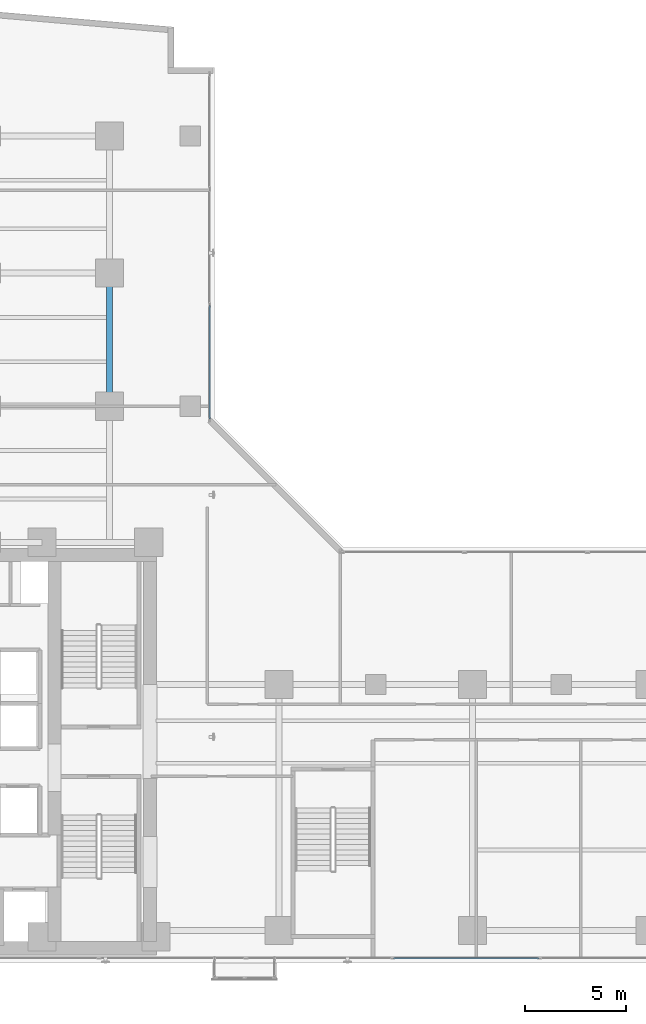
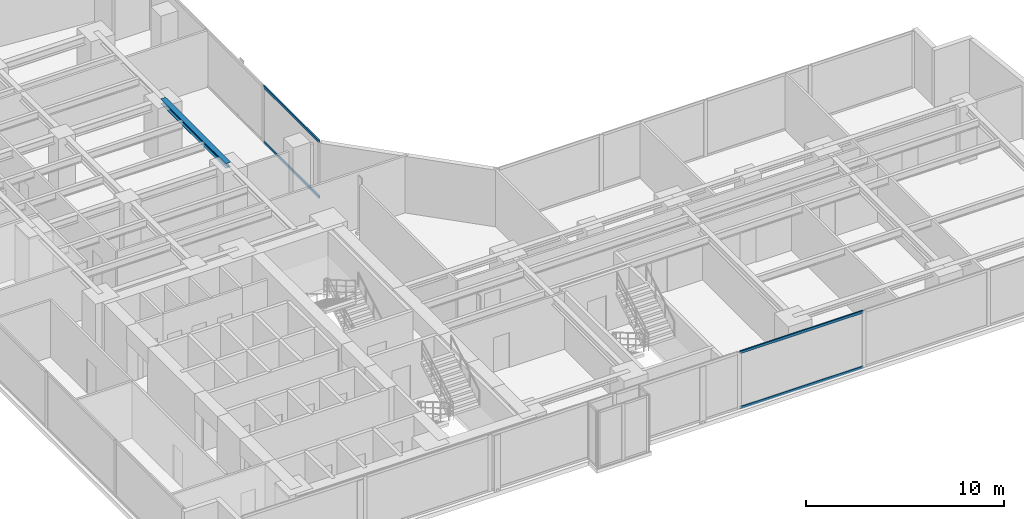
# One storey, part 10 of 25: 4 members, 1 beam, 2 elements without a shape of their own.
"""IFC4 building model written with IfcOpenShell, lengths in metres."""

from ifc_helpers import new_model, si_unit, direction, frame, origin, origin_with_axes, origin_2d, place, context, subcontext, project, spatial, hollow_rectangle, i_section, extrude, source, transform, mapped, material, layer, layer_set, material_profile, profile_set, type_object, element, aggregate, save


model = new_model("IFC4")

# Units and contexts
model_context = context("Model", 3, precision=1e-05, world=origin(), true_north=direction((0.0, 1.0)))
body_context = subcontext(model_context, "Body", "Model", "MODEL_VIEW")
ifc_project = project(units=[si_unit("LENGTHUNIT", "METRE"), si_unit("AREAUNIT", "SQUARE_METRE"), si_unit("VOLUMEUNIT", "CUBIC_METRE"), si_unit("PLANEANGLEUNIT", "RADIAN"), si_unit("MASSUNIT", "GRAM", prefix="KILO")], contexts=[model_context])

# Site, building, storey
site_placement = place(None, origin())
site = spatial("IfcSite", under=ifc_project, at=site_placement, CompositionType="ELEMENT")
building_placement = place(site_placement, origin())
building = spatial("IfcBuilding", under=site, at=building_placement, Name="Kolvaren Waterfront Exchange", CompositionType="ELEMENT")
storey_placement = place(building_placement, frame((0.0, 0.0, 106.89990234375)))
storey = spatial("IfcBuildingStorey", under=building, at=storey_placement, Name="L27", CompositionType="ELEMENT", Elevation=106.89990234375)

# Beam
ifc_material_1 = material(Name="Steel S355", Category="steel")
ifc_material_profile_1 = material_profile(ifc_material_1, i_section(OverallWidth=0.300048828125, OverallDepth=0.300048828125, WebThickness=0.010986328125, FlangeThickness=0.01904296875, FilletRadius=0.027099609375, at=origin_2d()), Name="HEB300")
ifc_profile_set_1 = profile_set([ifc_material_profile_1], Name="Steel S355")
beam_type = type_object("IfcBeamType", Name="STR-BM-HEB300", PredefinedType="SPANDREL", material=ifc_profile_set_1)
beam_placement = place(storey_placement, frame((18.800048828125, 31.199951171875, 3.35009765625), z_axis=(0.0, 1.0, 0.0), x_axis=(-1.0, 0.0, 0.0)))
element("IfcBeam", 1, at=beam_placement, inside=storey, type_object=beam_type, Name="L27 north-arm edge beam 2", PredefinedType="SPANDREL", context=body_context, shape_type="SweptSolid", body=[
    extrude(i_section(OverallWidth=0.300048828125, OverallDepth=0.300048828125, WebThickness=0.010986328125, FlangeThickness=0.01904296875, FilletRadius=0.027099609375, at=origin_2d()), origin(), (0.0, 0.0, 1.0), 6.60009765625),
])

# Curtain wall, members
ifc_material_2 = material(Name="Anodised bronze aluminium 6063-T6", Category="aluminium")
ifc_layer = layer(ifc_material_2, 0.219970703125, Name="Anodised bronze aluminium 6063-T6")
ifc_layer_set = layer_set([ifc_layer], Name="Anodised bronze aluminium 6063-T6")
curtain_wall_type = type_object("IfcCurtainWallType", Name="ARC-CW-SYS1", PredefinedType="USERDEFINED", material=ifc_layer_set)
curtain_wall_1_placement = place(storey_placement, origin())
curtain_wall_1 = element("IfcCurtainWall", 2, at=curtain_wall_1_placement, inside=storey, type_object=curtain_wall_type, Name="L27 stick curtain wall CW1 (CW-L27-NE)", ObjectType="STICK CURTAIN WALL", PredefinedType="USERDEFINED")
ifc_material_3 = material(Name="Anodised aluminium 6063-T6", Category="aluminium")
ifc_material_profile_2 = material_profile(ifc_material_3, hollow_rectangle(XDim=0.074951171875, YDim=0.159912109375, WallThickness=0.00439453125, at=origin_2d()), Name="ALU-TRN-160x75x4.5")
ifc_profile_set_2 = profile_set([ifc_material_profile_2], Name="Anodised aluminium 6063-T6")
member_type = type_object("IfcMemberType", Name="ARC-CWT-160", PredefinedType="USERDEFINED", material=ifc_profile_set_2)
shared_shape_1 = source(origin_with_axes(), body_context, "Body", "SweptSolid", [
    extrude(hollow_rectangle(XDim=0.074951171875, YDim=0.159912109375, WallThickness=0.00439453125, at=origin_2d()), origin(), (0.0, 0.0, 1.0), 5.61669921875),
])
member_1_placement = place(storey_placement, frame((23.760009765625, 30.570068359375, 0.03759765625), z_axis=(0.0, 1.0, 0.0), x_axis=(-1.0, 0.0, 0.0)))
member_1 = element("IfcMember", 3, at=member_1_placement, type_object=member_type, Name="CW1 transom 1.1", ObjectType="TRANSOM", PredefinedType="USERDEFINED", context=body_context, shape_type="MappedRepresentation", body=[
    mapped(shared_shape_1, transform((0.0, 0.0, 0.0), x_axis=(1.0, 0.0, 0.0), y_axis=(0.0, 1.0, 0.0), z_axis=(0.0, 0.0, 1.0), scale=1.0)),
])
member_2_placement = place(storey_placement, frame((23.760009765625, 30.570068359375, 3.462646484375), z_axis=(0.0, 1.0, 0.0), x_axis=(-1.0, 0.0, 0.0)))
member_2 = element("IfcMember", 4, at=member_2_placement, type_object=member_type, Name="CW1 transom 1.2", ObjectType="TRANSOM", PredefinedType="USERDEFINED", context=body_context, shape_type="MappedRepresentation", body=[
    mapped(shared_shape_1, transform((0.0, 0.0, 0.0), x_axis=(1.0, 0.0, 0.0), y_axis=(0.0, 1.0, 0.0), z_axis=(0.0, 0.0, 1.0), scale=1.0)),
])
aggregate(curtain_wall_1, [member_1, member_2])

curtain_wall_2_placement = place(storey_placement, origin())
curtain_wall_2 = element("IfcCurtainWall", 5, at=curtain_wall_2_placement, inside=storey, type_object=curtain_wall_type, Name="L27 stick curtain wall CW1 (CW-L27-S)", ObjectType="STICK CURTAIN WALL", PredefinedType="USERDEFINED")
shared_shape_2 = source(origin_with_axes(), body_context, "Body", "SweptSolid", [
    extrude(hollow_rectangle(XDim=0.074951171875, YDim=0.159912109375, WallThickness=0.00439453125, at=origin_2d()), origin(), (0.0, 0.0, 1.0), 7.205810546875),
])
member_3_placement = place(storey_placement, frame((32.8828125, 3.840087890625, 0.03759765625), z_axis=(1.0, 0.0, 0.0), x_axis=(0.0, 1.0, 0.0)))
member_3 = element("IfcMember", 6, at=member_3_placement, type_object=member_type, Name="CW1 transom 5.1", ObjectType="TRANSOM", PredefinedType="USERDEFINED", context=body_context, shape_type="MappedRepresentation", body=[
    mapped(shared_shape_2, transform((0.0, 0.0, 0.0), x_axis=(1.0, 0.0, 0.0), y_axis=(0.0, 1.0, 0.0), z_axis=(0.0, 0.0, 1.0), scale=1.0)),
])
member_4_placement = place(storey_placement, frame((32.8828125, 3.840087890625, 3.462646484375), z_axis=(1.0, 0.0, 0.0), x_axis=(0.0, 1.0, 0.0)))
member_4 = element("IfcMember", 7, at=member_4_placement, type_object=member_type, Name="CW1 transom 5.2", ObjectType="TRANSOM", PredefinedType="USERDEFINED", context=body_context, shape_type="MappedRepresentation", body=[
    mapped(shared_shape_2, transform((0.0, 0.0, 0.0), x_axis=(1.0, 0.0, 0.0), y_axis=(0.0, 1.0, 0.0), z_axis=(0.0, 0.0, 1.0), scale=1.0)),
])
aggregate(curtain_wall_2, [member_3, member_4])

save(model, "model.ifc")
